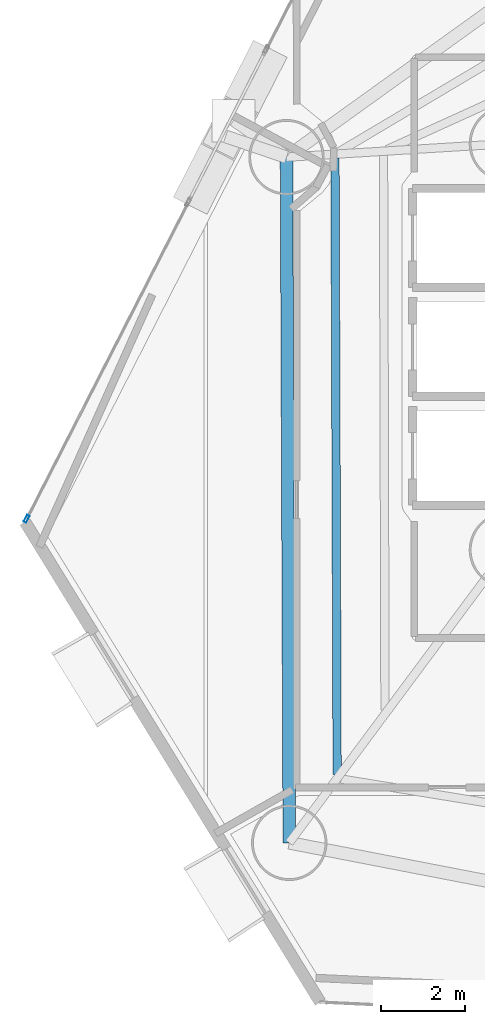
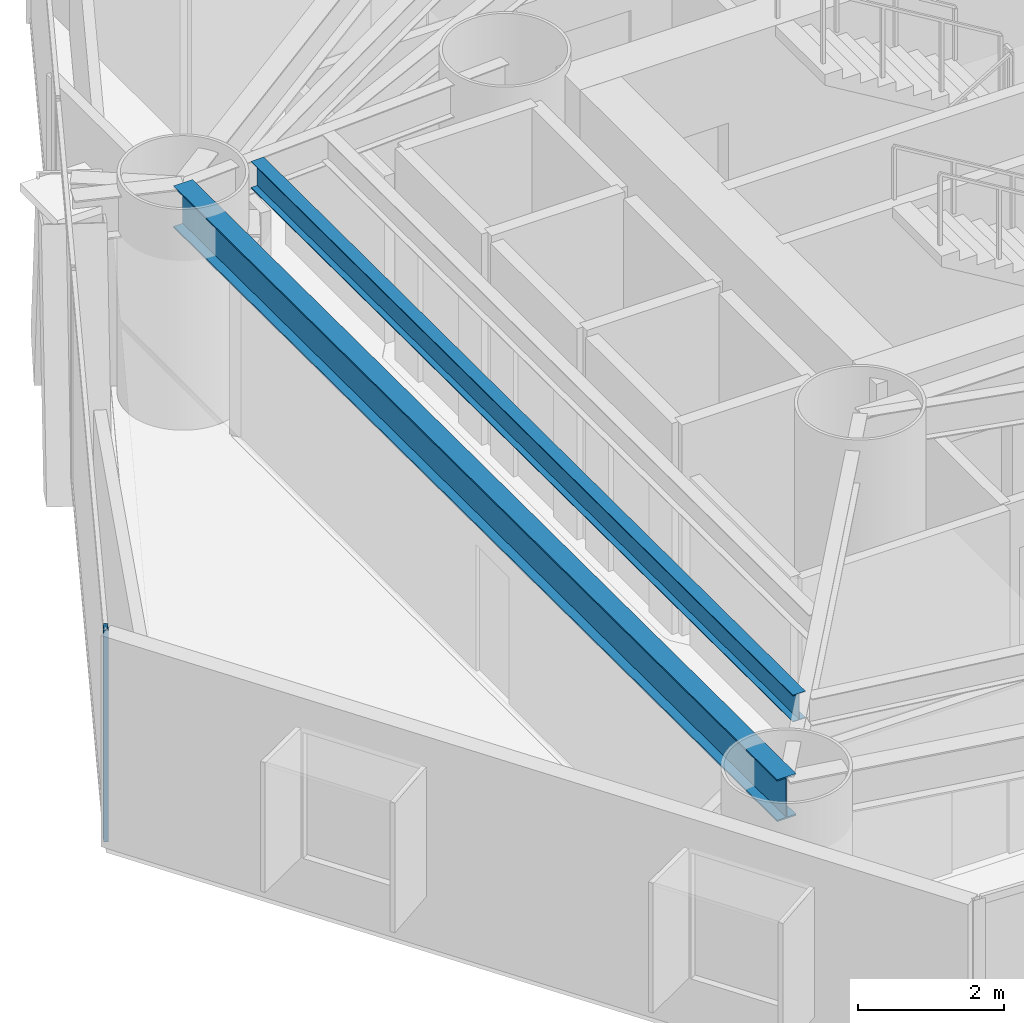
# One storey, part 3 of 23: 2 beams, 1 member, 1 element without a shape of its own.
"""IFC4 building model written with IfcOpenShell, lengths in metres."""

import ifcopenshell
import ifcopenshell.guid

model = None  # the IFC model being written
_history = None  # IfcOwnerHistory: only IFC2X3 demands one
_inside = {}  # id of a spatial element -> (the spatial element, [elements in it])
_under = {}  # id of a project, library or spatial element -> (it, [spatial elements below it])
_declared = {}  # id of a project -> (the project, [libraries it declares])
_typed = {}  # id of a type object -> (the type object, [elements of that type])
_made_of = {}  # id of a material, layer set ... -> (it, [elements and type objects made of it])


def new_model(schema):
    """Start an empty IFC model of exactly this schema.

    Asked for "IFC4X3", IfcOpenShell would pick the latest addendum, in which some entities
    have other attributes; the version numbers below select the first issue.
    IFC2X3 requires an IfcOwnerHistory on every rooted entity: one is made here for all.
    """
    global model, _history
    if schema == "IFC4X3":
        model = ifcopenshell.file(schema_version=(4, 3, 0, 0))
    else:
        model = ifcopenshell.file(schema=schema)
    _inside.clear()
    _under.clear()
    _declared.clear()
    _typed.clear()
    _made_of.clear()
    _history = None
    if model.schema == "IFC2X3":
        org = make("IfcOrganization", Name="unknown")
        user = make(
            "IfcPersonAndOrganization",
            ThePerson=make("IfcPerson", FamilyName="unknown"),
            TheOrganization=org,
        )
        app = make(
            "IfcApplication",
            ApplicationDeveloper=org,
            Version="unknown",
            ApplicationFullName="unknown",
            ApplicationIdentifier="unknown",
        )
        _history = make(
            "IfcOwnerHistory",
            OwningUser=user,
            OwningApplication=app,
            ChangeAction="ADDED",
            CreationDate=0,
        )
    return model


def make(cls, **values):
    """One entity of the class cls with the attributes given. An attribute that is None is left unset."""
    return model.create_entity(
        cls, **{name: value for name, value in values.items() if value is not None}
    )


def rooted(cls, **values):
    """An entity with a GlobalId (a new one), such as an element, a storey or a relation."""
    return make(cls, GlobalId=ifcopenshell.guid.new(), OwnerHistory=_history, **values)


def si_unit(unit_type, name, prefix=None):
    """IfcSIUnit, for example si_unit("LENGTHUNIT", "METRE", prefix="MILLI")."""
    return make("IfcSIUnit", UnitType=unit_type, Prefix=prefix, Name=name)


def assignment(units):
    """IfcUnitAssignment: the units of a project."""
    return None if units is None else make("IfcUnitAssignment", Units=units)


def point(xyz):
    """IfcCartesianPoint."""
    return None if xyz is None else make("IfcCartesianPoint", Coordinates=xyz)


def direction(xyz):
    """IfcDirection."""
    return None if xyz is None else make("IfcDirection", DirectionRatios=xyz)


def frame(location, z_axis=None, x_axis=None):
    """IfcAxis2Placement3D, a coordinate frame: its origin and axes. An axis left out is left unset."""
    return make(
        "IfcAxis2Placement3D",
        Location=point(location),
        Axis=direction(z_axis),
        RefDirection=direction(x_axis),
    )


def frame_2d(location, x_axis=None):
    """IfcAxis2Placement2D, a coordinate frame in the plane: its origin and x axis."""
    return make(
        "IfcAxis2Placement2D", Location=point(location), RefDirection=direction(x_axis)
    )


def origin():
    """The frame at (0, 0, 0) with its axes left unset."""
    return frame((0.0, 0.0, 0.0))


def origin_2d():
    """The frame at (0, 0) in the plane with its x axis left unset."""
    return frame_2d((0.0, 0.0))


def place(relative_to, where):
    """IfcLocalPlacement: puts the frame where relative to a parent placement (None: the world)."""
    return make(
        "IfcLocalPlacement", PlacementRelTo=relative_to, RelativePlacement=where
    )


def context(
    kind, dimensions, precision=None, world=None, true_north=None, identifier=None
):
    """IfcGeometricRepresentationContext, for example the 3D "Model" context."""
    return make(
        "IfcGeometricRepresentationContext",
        ContextIdentifier=identifier,
        ContextType=kind,
        CoordinateSpaceDimension=dimensions,
        Precision=precision,
        WorldCoordinateSystem=world,
        TrueNorth=true_north,
    )


def subcontext(parent, identifier, kind, view, scale=None):
    """IfcGeometricRepresentationSubContext, for example "Body" below "Model"."""
    return make(
        "IfcGeometricRepresentationSubContext",
        ContextIdentifier=identifier,
        ContextType=kind,
        ParentContext=parent,
        TargetScale=scale,
        TargetView=view,
    )


def project(units=None, contexts=None):
    """IfcProject with its units and contexts."""
    return rooted(
        "IfcProject",
        Name="project",
        RepresentationContexts=contexts,
        UnitsInContext=assignment(units),
    )


def spatial(cls, under=None, at=None, **own):
    """A site, building, storey or space (cls), placed at a placement, below another one or the project."""
    s = rooted(cls, ObjectPlacement=at, **own)
    if under is not None:
        _under.setdefault(under.id(), (under, []))[1].append(s)
    return s


def profile(cls, at=None, kind="AREA", **sizes):
    """A parametric profile (cls). Its sizes go by their IFC names, for example OverallWidth=200.0."""
    return make(cls, ProfileType=kind, Position=at, **sizes)


def hollow_rectangle(**sizes):
    """IfcRectangleHollowProfileDef."""
    return profile("IfcRectangleHollowProfileDef", **sizes)


def i_section(**sizes):
    """IfcIShapeProfileDef."""
    return profile("IfcIShapeProfileDef", **sizes)


def extrude(swept, where, along, depth):
    """IfcExtrudedAreaSolid: the profile swept, set in the frame where, extruded along a direction by depth."""
    return make(
        "IfcExtrudedAreaSolid",
        SweptArea=swept,
        Position=where,
        ExtrudedDirection=direction(along),
        Depth=depth,
    )


def shape(context_of_items, identifier, shape_type, items):
    """IfcShapeRepresentation: the items that make up one representation, for example the "Body"."""
    return make(
        "IfcShapeRepresentation",
        ContextOfItems=context_of_items,
        RepresentationIdentifier=identifier,
        RepresentationType=shape_type,
        Items=items,
    )


def material(Name=None, Category=None):
    """IfcMaterial."""
    return make("IfcMaterial", Name=Name, Category=Category)


def layer(
    of_material, thickness, ventilated=None, Name=None, Category=None, Priority=None
):
    """IfcMaterialLayer: one layer of a wall or slab, of a material (None: an air gap)."""
    return make(
        "IfcMaterialLayer",
        Material=of_material,
        LayerThickness=thickness,
        IsVentilated=ventilated,
        Name=Name,
        Category=Category,
        Priority=Priority,
    )


def layer_set(layers, Name=None):
    """IfcMaterialLayerSet."""
    return make("IfcMaterialLayerSet", MaterialLayers=layers, LayerSetName=Name)


def material_profile(
    of_material, cross_section, Name=None, Category=None, Priority=None
):
    """IfcMaterialProfile: a cross section and its material."""
    return make(
        "IfcMaterialProfile",
        Name=Name,
        Material=of_material,
        Profile=cross_section,
        Priority=Priority,
        Category=Category,
    )


def profile_set(profiles, Name=None, composite=None):
    """IfcMaterialProfileSet."""
    return make(
        "IfcMaterialProfileSet",
        Name=Name,
        MaterialProfiles=profiles,
        CompositeProfile=composite,
    )


def made_of(thing, what):
    """Note that an element or type object is made of a material, layer set ...; save() writes the relation."""
    if what is not None:
        _made_of.setdefault(what.id(), (what, []))[1].append(thing)
    return thing


def type_object(cls, material=None, **own):
    """A type object (cls), such as IfcWallType, which elements share."""
    return made_of(rooted(cls, **own), material)


def element(
    cls,
    number,
    at=None,
    inside=None,
    cuts=None,
    type_object=None,
    material=None,
    context=None,
    identifier="Body",
    shape_type=None,
    held_by="IfcProductDefinitionShape",
    body=None,
    shapes=None,
    **own,
):
    """One element of the class cls, such as IfcWall. Its Tag is "e" and its number.

    at: its placement. inside: the storey or other place that contains it. cuts: it is an
    opening in that element (IfcRelVoidsElement). A single representation is given by context,
    identifier, shape_type and body (its items); several are given by shapes. held_by: the class
    of the entity that holds the representations. save() writes the other relations.
    """
    e = rooted(cls, Tag="e%d" % number, ObjectPlacement=at, **own)
    if body is not None:
        shapes = [shape(context, identifier, shape_type, body)]
    if shapes is not None:
        e.Representation = make(held_by, Representations=shapes)
    if inside is not None:
        _inside.setdefault(inside.id(), (inside, []))[1].append(e)
    if cuts is not None:
        rooted(
            "IfcRelVoidsElement", RelatingBuildingElement=cuts, RelatedOpeningElement=e
        )
    if type_object is not None:
        _typed.setdefault(type_object.id(), (type_object, []))[1].append(e)
    return made_of(e, material)


def aggregate(whole, parts):
    """IfcRelAggregates: a whole, such as a stair, and the parts it consists of."""
    return rooted("IfcRelAggregates", RelatingObject=whole, RelatedObjects=parts)


def save(model, path):
    """Write the relations noted so far, then the file.

    IfcRelAggregates (storeys below a building ...), IfcRelContainedInSpatialStructure (elements
    in a storey), IfcRelDefinesByType, IfcRelAssociatesMaterial and IfcRelDeclares: one each for
    every whole, place, type object, material and project.
    """
    for whole, parts in _under.values():
        aggregate(whole, parts)
    for where, things in _inside.values():
        rooted(
            "IfcRelContainedInSpatialStructure",
            RelatedElements=things,
            RelatingStructure=where,
        )
    for kind, things in _typed.values():
        rooted("IfcRelDefinesByType", RelatedObjects=things, RelatingType=kind)
    for what, things in _made_of.values():
        rooted("IfcRelAssociatesMaterial", RelatedObjects=things, RelatingMaterial=what)
    for by, libraries in _declared.values():
        rooted("IfcRelDeclares", RelatingContext=by, RelatedDefinitions=libraries)
    model.write(path)


model = new_model("IFC4")

# Units and contexts
model_context = context("Model", 3, precision=1e-05, world=origin(), true_north=direction((0.0, 1.0)))
body_context = subcontext(model_context, "Body", "Model", "MODEL_VIEW")
ifc_project = project(units=[si_unit("LENGTHUNIT", "METRE"), si_unit("AREAUNIT", "SQUARE_METRE"), si_unit("VOLUMEUNIT", "CUBIC_METRE"), si_unit("PLANEANGLEUNIT", "RADIAN"), si_unit("MASSUNIT", "GRAM", prefix="KILO")], contexts=[model_context])

# Site, building, storey
site_placement = place(None, origin())
site = spatial("IfcSite", under=ifc_project, at=site_placement, CompositionType="ELEMENT")
building_placement = place(site_placement, origin())
building = spatial("IfcBuilding", under=site, at=building_placement, Name="Qianvela Tower", CompositionType="ELEMENT")
storey_placement = place(building_placement, frame((0.0, 0.0, 29.39990234375)))
storey = spatial("IfcBuildingStorey", under=building, at=storey_placement, Name="L06", CompositionType="ELEMENT", Elevation=29.39990234375)

# Beams
ifc_material_1 = material(Name="Steel Q355B", Category="steel")
ifc_material_profile_1 = material_profile(ifc_material_1, i_section(OverallWidth=0.199951171875, OverallDepth=0.449951171875, WebThickness=0.009033203125, FlangeThickness=0.013916015625, at=origin_2d()), Name="HN450x200x9x14")
ifc_profile_set_1 = profile_set([ifc_material_profile_1], Name="Steel Q355B")
beam_type_1 = type_object("IfcBeamType", Name="BM-HN450-JOIST", PredefinedType="JOIST", material=ifc_profile_set_1)
beam_1_placement = place(storey_placement, frame((24.49609375, 33.202880859375, 3.293212890625), z_axis=(0.003452376186, -0.999994040532, 0.0), x_axis=(0.999994040532, 0.003452376186, 0.0)))
element("IfcBeam", 1, at=beam_1_placement, inside=storey, type_object=beam_type_1, Name="L06 Secondary Composite Floor Joist 4.3", PredefinedType="JOIST", context=body_context, shape_type="SweptSolid", body=[
    extrude(i_section(OverallWidth=0.199951171875, OverallDepth=0.449951171875, WebThickness=0.009033203125, FlangeThickness=0.013916015625, at=origin_2d()), origin(), (0.0, 0.0, 1.0), 14.708984375),
])
ifc_material_2 = material(Name="Steel Q355B", Category="steel")
ifc_material_profile_2 = material_profile(ifc_material_2, i_section(OverallWidth=0.300048828125, OverallDepth=0.699951171875, WebThickness=0.012939453125, FlangeThickness=0.02392578125, at=origin_2d()), Name="HN700x300x13x24")
ifc_profile_set_2 = profile_set([ifc_material_profile_2], Name="Steel Q355B")
beam_type_2 = type_object("IfcBeamType", Name="BM-HN700-SPAND", PredefinedType="SPANDREL", material=ifc_profile_set_2)
beam_2_placement = place(storey_placement, frame((23.337890625, 33.22802734375, 3.168212890625), z_axis=(0.004042148861, -0.999991830483, 0.0), x_axis=(0.999991830483, 0.004042148861, 0.0)))
element("IfcBeam", 2, at=beam_2_placement, inside=storey, type_object=beam_type_2, Name="L06 Perimeter Ring Spandrel Girder 4", PredefinedType="SPANDREL", context=body_context, shape_type="SweptSolid", body=[
    extrude(i_section(OverallWidth=0.300048828125, OverallDepth=0.699951171875, WebThickness=0.012939453125, FlangeThickness=0.02392578125, at=origin_2d()), origin(), (0.0, 0.0, 1.0), 16.3681640625),
])

# Curtain wall, member
ifc_material_3 = material(Name="Anodised Architectural Aluminium and Low-E Glass", Category="aluminium")
ifc_layer = layer(ifc_material_3, 0.179931640625)
ifc_layer_set = layer_set([ifc_layer], Name="Anodised Architectural Aluminium and Low-E Glass")
curtain_wall_type = type_object("IfcCurtainWallType", Name="CW-COLIV-Z12", PredefinedType="USERDEFINED", material=ifc_layer_set)
curtain_wall_placement = place(storey_placement, origin())
curtain_wall = element("IfcCurtainWall", 3, at=curtain_wall_placement, inside=storey, type_object=curtain_wall_type, Name="L06 CW-COLIV-Z12 Curtain Wall 04C", ObjectType="CURTAIN_WALL_SYSTEM", PredefinedType="USERDEFINED")
ifc_material_4 = material(Name="Anodised Architectural Aluminium 6063-T6", Category="aluminium")
ifc_material_profile_3 = material_profile(ifc_material_4, hollow_rectangle(XDim=0.070068359375, YDim=0.179931640625, WallThickness=0.0048828125, at=origin_2d()), Name="ALU-MULL-70x180")
ifc_profile_set_3 = profile_set([ifc_material_profile_3], Name="Anodised Architectural Aluminium 6063-T6")
member_type = type_object("IfcMemberType", Name="CW-COLIV-Z12-MULL", PredefinedType="MULLION", material=ifc_profile_set_3)
member_placement = place(storey_placement, frame((17.13427734375, 24.59423828125, 0.0), z_axis=(0.0, 0.0, 1.0), x_axis=(0.89068707927, -0.45461690116, 0.0)))
member = element("IfcMember", 4, at=member_placement, type_object=member_type, Name="CW-3 mullion 2", PredefinedType="MULLION", context=body_context, shape_type="SweptSolid", body=[
    extrude(hollow_rectangle(XDim=0.070068359375, YDim=0.179931640625, WallThickness=0.0048828125, at=origin_2d()), origin(), (0.0, 0.0, 1.0), 3.52001953125),
])
aggregate(curtain_wall, [member])

save(model, "model.ifc")
